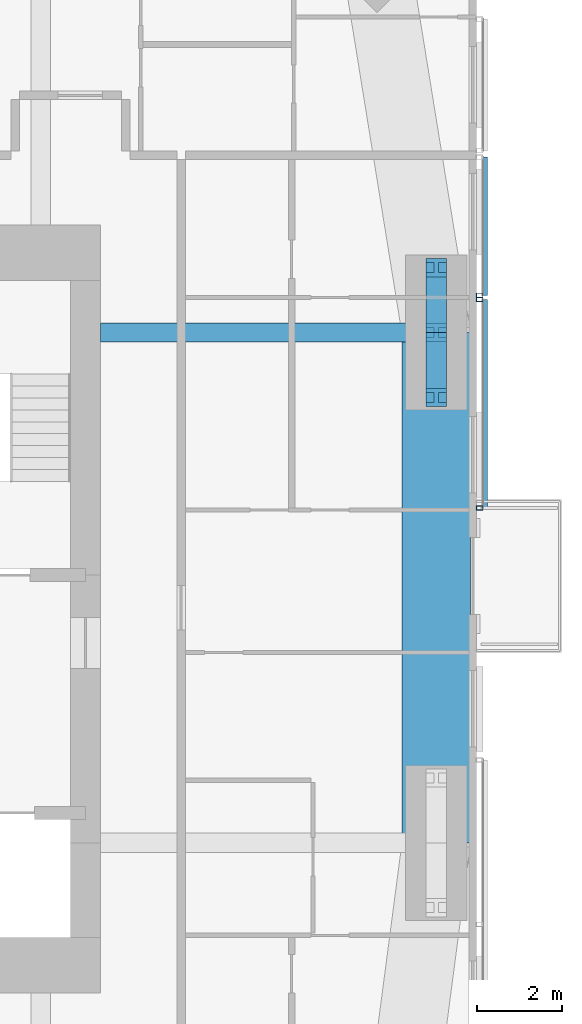
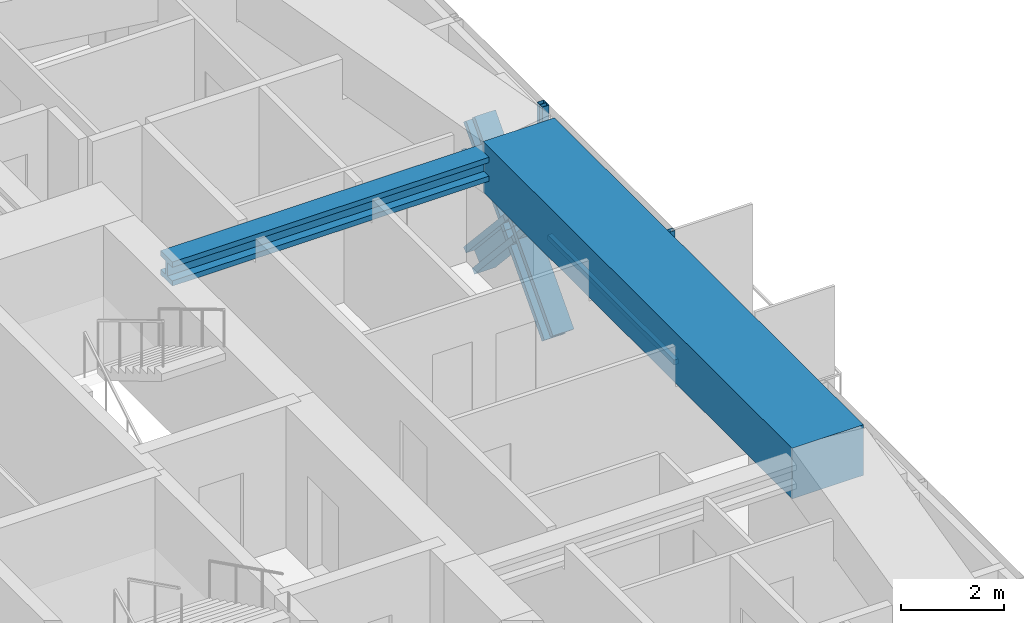
# One storey, part 8 of 23: 9 members, 2 beams, 2 elements without a shape of their own.
"""IFC4 building model written with IfcOpenShell, lengths in metres."""

from ifc_helpers import new_model, si_unit, direction, frame, origin, origin_2d, place, context, subcontext, project, spatial, rectangle, hollow_rectangle, i_section, extrude, material, material_profile, profile_set, type_object, element, aggregate, save


model = new_model("IFC4")

# Units and contexts
model_context = context("Model", 3, precision=1e-05, world=origin(), true_north=direction((0.0, 1.0)))
body_context = subcontext(model_context, "Body", "Model", "MODEL_VIEW")
ifc_project = project(units=[si_unit("LENGTHUNIT", "METRE"), si_unit("AREAUNIT", "SQUARE_METRE"), si_unit("VOLUMEUNIT", "CUBIC_METRE"), si_unit("PLANEANGLEUNIT", "RADIAN"), si_unit("MASSUNIT", "GRAM", prefix="KILO")], contexts=[model_context])

# Site, building, storey
site_placement = place(None, origin())
site = spatial("IfcSite", under=ifc_project, at=site_placement, CompositionType="ELEMENT")
building_placement = place(site_placement, origin())
building = spatial("IfcBuilding", under=site, at=building_placement, Name="Jalousie Tower", CompositionType="ELEMENT")
storey_placement = place(building_placement, frame((0.0, 0.0, 194.550048828125)))
storey = spatial("IfcBuildingStorey", under=building, at=storey_placement, Name="L53", CompositionType="ELEMENT", Elevation=194.550048828125)

# Beam
ifc_material_1 = material(Name="Steel ASTM A992 Grade 50", Category="steel")
ifc_material_profile_1 = material_profile(ifc_material_1, i_section(OverallWidth=0.45458984375, OverallDepth=0.569091796875, WebThickness=0.077880859375, FlangeThickness=0.124755859375, at=origin_2d()), Name="W14X730")
ifc_profile_set_1 = profile_set([ifc_material_profile_1], Name="Steel ASTM A992 Grade 50")
beam_type_1 = type_object("IfcBeamType", Name="LEAN COLLECTOR W14X730", PredefinedType="BEAM", material=ifc_profile_set_1)
beam_1_placement = place(storey_placement, frame((52.050048828125, 25.0, 2.825439453125), z_axis=(-1.0, 0.0, 0.0), x_axis=(0.0, -1.0, 0.0)))
element("IfcBeam", 1, at=beam_1_placement, inside=storey, type_object=beam_type_1, Name="Lean collector under L54", PredefinedType="BEAM", context=body_context, shape_type="SweptSolid", body=[
    extrude(i_section(OverallWidth=0.45458984375, OverallDepth=0.569091796875, WebThickness=0.077880859375, FlangeThickness=0.124755859375, at=origin_2d()), origin(), (0.0, 0.0, 1.0), 7.900146484375),
])

# Members
ifc_material_2 = material(Name="Steel ASTM A992 Grade 50", Category="steel")
ifc_material_profile_2 = material_profile(ifc_material_2, i_section(OverallWidth=0.472412109375, OverallDepth=0.5791015625, WebThickness=0.094970703125, FlangeThickness=0.1298828125, at=origin_2d()), Name="W14X808")
ifc_profile_set_2 = profile_set([ifc_material_profile_2], Name="Steel ASTM A992 Grade 50")
member_type_1 = type_object("IfcMemberType", Name="PERIMETER BRACE W14X808", PredefinedType="BRACE", material=ifc_profile_set_2)
for number, where, z_axis, x_axis, name in (
    (2, (52.050048828125, 23.47509765625, -0.60009765625), (0.0, 0.673187629365, 0.739471713908), (-1.0, 0.0, 0.0), "Perimeter brace 07 L53 part 1"),
    (3, (52.050048828125, 25.0, 1.074951171875), (0.0, 0.673187629365, 0.739471713908), (-1.0, 0.0, 0.0), "Perimeter brace 07 L53 part 2"),
    (4, (52.050048828125, 26.52490234375, -0.60009765625), (0.0, -0.673187629365, 0.739471713908), (1.0, 0.0, 0.0), "Perimeter brace 07 L53 part 3"),
    (5, (52.050048828125, 25.0, 1.074951171875), (0.0, -0.673187629365, 0.739471713908), (1.0, 0.0, 0.0), "Perimeter brace 07 L53 part 4"),
):
    element("IfcMember", number, at=place(storey_placement, frame(where, z_axis=z_axis, x_axis=x_axis)), inside=storey, type_object=member_type_1, Name=name, PredefinedType="BRACE", context=body_context, shape_type="SweptSolid", body=[
        extrude(i_section(OverallWidth=0.472412109375, OverallDepth=0.5791015625, WebThickness=0.094970703125, FlangeThickness=0.1298828125, at=origin_2d()), origin(), (0.0, 0.0, 1.0), 2.26513671875),
    ])

# Beam
ifc_material_3 = material(Name="Concrete f'c 40 MPa", Category="concrete")
ifc_material_profile_3 = material_profile(ifc_material_3, rectangle(XDim=1.60009765625, YDim=1.199951171875, at=origin_2d()), Name="RC 1600x1200")
ifc_profile_set_3 = profile_set([ifc_material_profile_3], Name="Concrete f'c 40 MPa")
beam_type_2 = type_object("IfcBeamType", Name="RC BEAM 1600x1200", PredefinedType="BEAM", material=ifc_profile_set_3)
beam_2_placement = place(storey_placement, frame((52.050048828125, 13.0, 2.75), z_axis=(0.0, 1.0, 0.0), x_axis=(-1.0, 0.0, 0.0)))
element("IfcBeam", 6, at=beam_2_placement, inside=storey, type_object=beam_type_2, Name="Edge band beam 06-07 under L54", PredefinedType="BEAM", context=body_context, shape_type="SweptSolid", body=[
    extrude(rectangle(XDim=1.60009765625, YDim=1.199951171875, at=origin_2d()), origin(), (0.0, 0.0, 1.0), 12.0),
])

# Curtain wall, members
ifc_material_4 = material(Name="Perforated aluminium sheet", Category="aluminium")
curtain_wall_type = type_object("IfcCurtainWallType", Name="SOLAR SCREEN SS-1", PredefinedType="USERDEFINED", material=ifc_material_4)
curtain_wall_1_placement = place(storey_placement, origin())
curtain_wall_1 = element("IfcCurtainWall", 7, at=curtain_wall_1_placement, inside=storey, type_object=curtain_wall_type, Name="Solar screen L53", ObjectType="SOLAR SCREEN SS-1", PredefinedType="USERDEFINED")
ifc_material_5 = material(Name="Steel ASTM A500 Grade C", Category="steel")
ifc_material_profile_4 = material_profile(ifc_material_5, hollow_rectangle(XDim=0.1015625, YDim=0.15234375, WallThickness=0.00634765625, at=origin_2d()), Name="HSS6X4X1/4")
ifc_profile_set_4 = profile_set([ifc_material_profile_4], Name="Steel ASTM A500 Grade C")
member_type_2 = type_object("IfcMemberType", Name="SOLAR SCREEN SS-1 MULLION", PredefinedType="MULLION", material=ifc_profile_set_4)
member_1_placement = place(storey_placement, frame((53.0712890625, 20.875, -0.1201171875), z_axis=(0.0, 0.0, 1.0), x_axis=(0.0, 1.0, 0.0)))
member_1 = element("IfcMember", 8, at=member_1_placement, type_object=member_type_2, Name="SS1 post 1", PredefinedType="MULLION", context=body_context, shape_type="SweptSolid", body=[
    extrude(hollow_rectangle(XDim=0.1015625, YDim=0.15234375, WallThickness=0.00634765625, at=origin_2d()), origin(), (0.0, 0.0, 1.0), 3.22998046875),
])
member_2_placement = place(storey_placement, frame((53.0712890625, 25.77490234375, -0.1201171875), z_axis=(0.0, 0.0, 1.0), x_axis=(0.0, 1.0, 0.0)))
member_2 = element("IfcMember", 9, at=member_2_placement, type_object=member_type_2, Name="SS1 post 2", PredefinedType="MULLION", context=body_context, shape_type="SweptSolid", body=[
    extrude(hollow_rectangle(XDim=0.1015625, YDim=0.15234375, WallThickness=0.00634765625, at=origin_2d()), origin(), (0.0, 0.0, 1.0), 3.22998046875),
])

# Curtain wall, member
curtain_wall_2_placement = place(storey_placement, origin())
curtain_wall_2 = element("IfcCurtainWall", 10, at=curtain_wall_2_placement, inside=storey, type_object=curtain_wall_type, Name="Solar screen L53", ObjectType="SOLAR SCREEN SS-1", PredefinedType="USERDEFINED")
member_3_placement = place(storey_placement, frame((53.0712890625, 25.875, -0.1201171875), z_axis=(0.0, 0.0, 1.0), x_axis=(0.0, 1.0, 0.0)))
member_3 = element("IfcMember", 11, at=member_3_placement, type_object=member_type_2, Name="SS1 post 1", PredefinedType="MULLION", context=body_context, shape_type="SweptSolid", body=[
    extrude(hollow_rectangle(XDim=0.1015625, YDim=0.15234375, WallThickness=0.00634765625, at=origin_2d()), origin(), (0.0, 0.0, 1.0), 3.22998046875),
])

# Member
ifc_material_6 = material(Name="Extruded aluminium screen rail", Category="aluminium")
ifc_material_profile_5 = material_profile(ifc_material_6, rectangle(XDim=0.1015625, YDim=0.1201171875, at=origin_2d()), Name="RAIL 102x120")
ifc_profile_set_5 = profile_set([ifc_material_profile_5], Name="Extruded aluminium screen rail")
member_type_3 = type_object("IfcMemberType", Name="SOLAR SCREEN SS-1 TRANSOM", PredefinedType="USERDEFINED", material=ifc_profile_set_5)
member_4_placement = place(storey_placement, frame((53.1982421875, 20.875, -0.06005859375), z_axis=(0.0, 1.0, 0.0), x_axis=(-1.0, 0.0, 0.0)))
member_4 = element("IfcMember", 12, at=member_4_placement, type_object=member_type_3, Name="SS1 rail", ObjectType="TRANSOM", PredefinedType="USERDEFINED", context=body_context, shape_type="SweptSolid", body=[
    extrude(rectangle(XDim=0.1015625, YDim=0.1201171875, at=origin_2d()), origin(), (0.0, 0.0, 1.0), 4.89990234375),
])

aggregate(curtain_wall_1, [member_1, member_2, member_4])

member_5_placement = place(storey_placement, frame((53.1982421875, 25.875, -0.06005859375), z_axis=(0.0, 1.0, 0.0), x_axis=(-1.0, 0.0, 0.0)))
member_5 = element("IfcMember", 13, at=member_5_placement, type_object=member_type_3, Name="SS1 rail", ObjectType="TRANSOM", PredefinedType="USERDEFINED", context=body_context, shape_type="SweptSolid", body=[
    extrude(rectangle(XDim=0.1015625, YDim=0.1201171875, at=origin_2d()), origin(), (0.0, 0.0, 1.0), 3.25),
])

aggregate(curtain_wall_2, [member_3, member_5])

save(model, "model.ifc")
